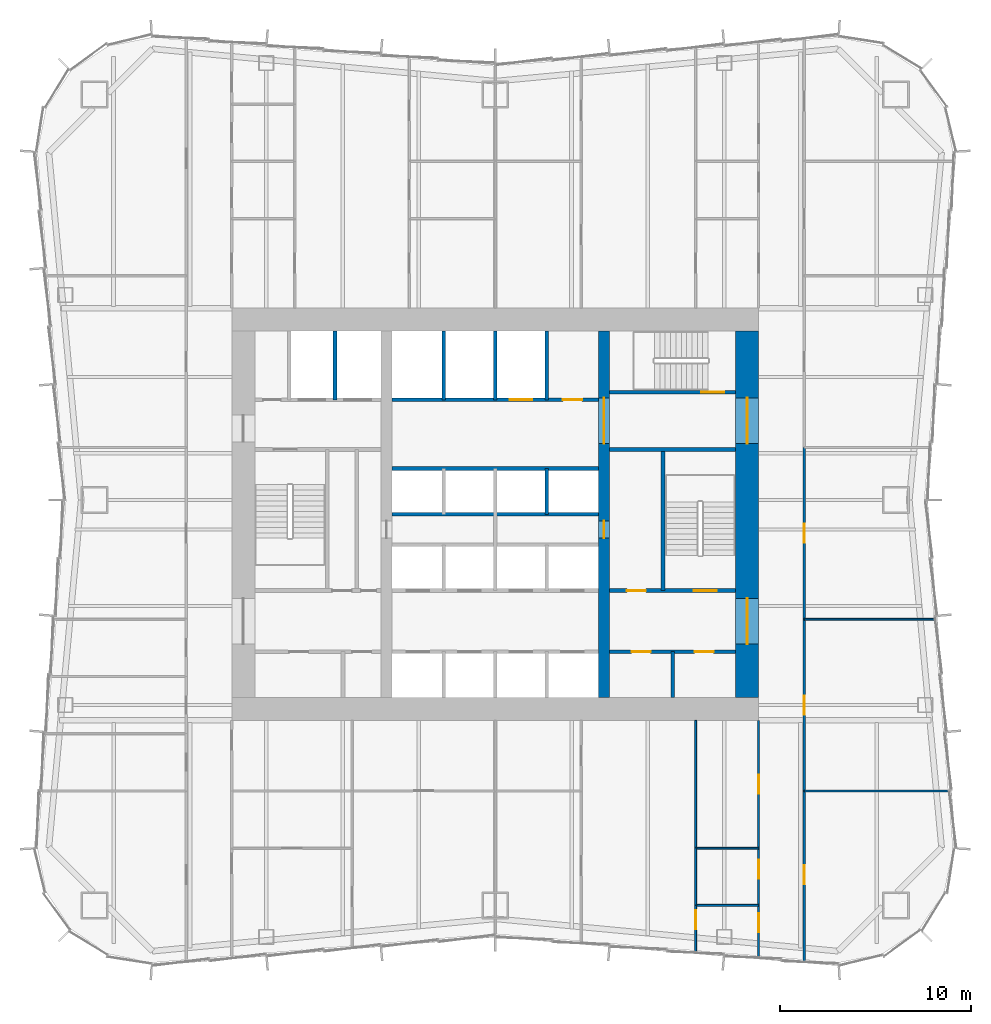
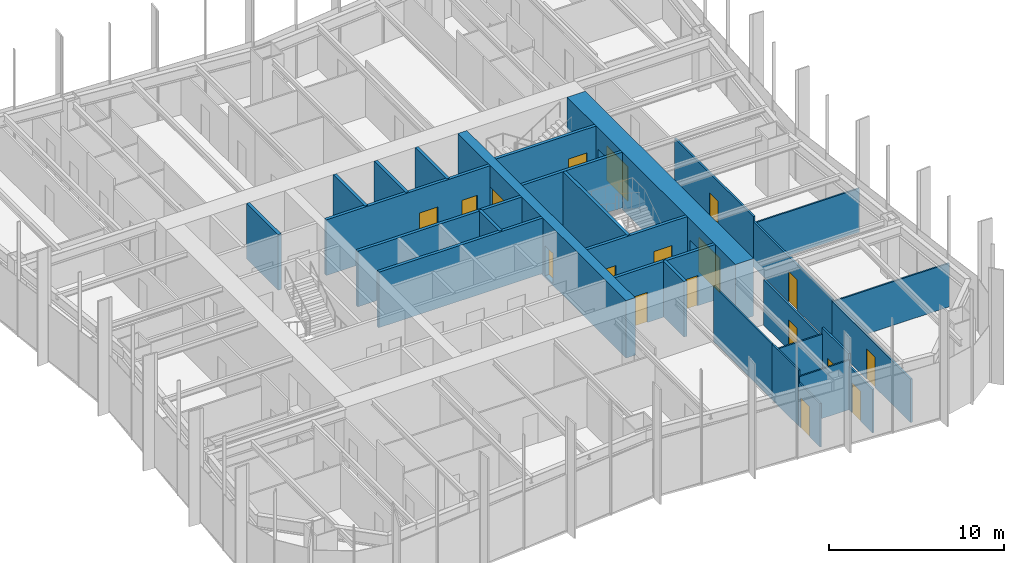
# One storey, part 10 of 13: 29 walls, 18 doors, 18 openings.
"""IFC4 building model written with IfcOpenShell, lengths in metres."""

from ifc_helpers import new_model, si_unit, direction, frame, frame_2d, origin, place, context, subcontext, project, spatial, rectangle, extrude, material, layer, layer_set, type_object, element, fill, save


model = new_model("IFC4")

# Units and contexts
model_context = context("Model", 3, precision=1e-05, world=origin(), true_north=direction((0.0, 1.0)))
body_context = subcontext(model_context, "Body", "Model", "MODEL_VIEW")
ifc_project = project(units=[si_unit("LENGTHUNIT", "METRE"), si_unit("AREAUNIT", "SQUARE_METRE"), si_unit("VOLUMEUNIT", "CUBIC_METRE"), si_unit("PLANEANGLEUNIT", "RADIAN"), si_unit("MASSUNIT", "GRAM", prefix="KILO")], contexts=[model_context])

# Site, building, storey
site_placement = place(None, origin())
site = spatial("IfcSite", under=ifc_project, at=site_placement, CompositionType="ELEMENT")
building_placement = place(site_placement, origin())
building = spatial("IfcBuilding", under=site, at=building_placement, Name="Verdant Reach Tower", CompositionType="ELEMENT")
storey_placement = place(building_placement, frame((0.0, 0.0, 106.0)))
storey = spatial("IfcBuildingStorey", under=building, at=storey_placement, Name="L24", CompositionType="ELEMENT", Elevation=106.0)

# Wall, openings, doors
ifc_material_1 = material(Name="Gypsum board on steel studs", Category="steel")
ifc_layer_1 = layer(ifc_material_1, 0.199951171875)
ifc_layer_set_1 = layer_set([ifc_layer_1], Name="CO-WALL-ROOM")
wall_type_1 = type_object("IfcWallType", Name="CO-WALL-ROOM", PredefinedType="PARTITIONING", material=ifc_layer_set_1)
wall_1_placement = place(storey_placement, frame((6.0, 20.800048828125, 0.0), z_axis=(0.0, 0.0, 1.0), x_axis=(1.0, 0.0, 0.0)))
wall_1 = element("IfcWall", 1, at=wall_1_placement, inside=storey, type_object=wall_type_1, Name="Core partition, L24", PredefinedType="PARTITIONING", context=body_context, shape_type="SweptSolid", body=[
    extrude(rectangle(XDim=6.60009765625, YDim=0.199951171875, at=frame_2d((3.300048828125, 0.0))), origin(), (0.0, 0.0, 1.0), 3.8701171875),
])
opening_1_placement = place(wall_1_placement, frame((1.14990234375, 0.0, 0.0)))
opening_1 = element("IfcOpeningElement", 2, at=opening_1_placement, cuts=wall_1, Name="Opening CD", PredefinedType="OPENING", context=body_context, shape_type="SweptSolid", body=[
    extrude(rectangle(XDim=1.0, YDim=2.10009765625, at=frame_2d((0.5, 1.050048828125))), frame((0.0, 0.10986328125, 0.0), z_axis=(0.0, -1.0, 0.0), x_axis=(1.0, 0.0, 0.0)), (0.0, 0.0, 1.0), 0.219970703125),
])
opening_2_placement = place(wall_1_placement, frame((4.449951171875, 0.0, 0.0)))
opening_2 = element("IfcOpeningElement", 3, at=opening_2_placement, cuts=wall_1, Name="Opening CD", PredefinedType="OPENING", context=body_context, shape_type="SweptSolid", body=[
    extrude(rectangle(XDim=1.0, YDim=2.10009765625, at=frame_2d((0.5, 1.050048828125))), frame((0.0, 0.10986328125, 0.0), z_axis=(0.0, -1.0, 0.0), x_axis=(1.0, 0.0, 0.0)), (0.0, 0.0, 1.0), 0.219970703125),
])
ifc_material_2 = material(Name="Timber", Category="wood")
door_type_1 = type_object("IfcDoorType", Name="CO-DOOR-ROOM", OperationType="NOTDEFINED", PredefinedType="DOOR", material=ifc_material_2)
door_1_placement = place(opening_1_placement, origin())
door_1 = element("IfcDoor", 4, at=door_1_placement, inside=storey, type_object=door_type_1, Name="Core room door, L24", OperationType="SINGLE_SWING_LEFT", OverallHeight=2.10009765625, OverallWidth=1.0, PredefinedType="DOOR", context=body_context, shape_type="SweptSolid", body=[
    extrude(rectangle(XDim=1.0, YDim=2.10009765625, at=frame_2d((0.5, 1.050048828125))), frame((0.0, 0.02490234375, 0.0), z_axis=(0.0, -1.0, 0.0), x_axis=(1.0, 0.0, 0.0)), (0.0, 0.0, 1.0), 0.050048828125),
])
fill(opening_1, door_1)
door_2_placement = place(opening_2_placement, origin())
door_2 = element("IfcDoor", 5, at=door_2_placement, inside=storey, type_object=door_type_1, Name="Core room door, L24", OperationType="SINGLE_SWING_LEFT", OverallHeight=2.10009765625, OverallWidth=1.0, PredefinedType="DOOR", context=body_context, shape_type="SweptSolid", body=[
    extrude(rectangle(XDim=1.0, YDim=2.10009765625, at=frame_2d((0.5, 1.050048828125))), frame((0.0, 0.02490234375, 0.0), z_axis=(0.0, -1.0, 0.0), x_axis=(1.0, 0.0, 0.0)), (0.0, 0.0, 1.0), 0.050048828125),
])
fill(opening_2, door_2)

# Walls
wall_2_placement = place(storey_placement, frame((9.300048828125, 18.39990234375, 0.0), z_axis=(0.0, 0.0, 1.0), x_axis=(0.0, 1.0, 0.0)))
element("IfcWall", 6, at=wall_2_placement, inside=storey, type_object=wall_type_1, Name="Core partition, L24", PredefinedType="PARTITIONING", context=body_context, shape_type="SweptSolid", body=[
    extrude(rectangle(XDim=2.400146484375, YDim=0.199951171875, at=frame_2d((1.2001953125, 0.0))), origin(), (0.0, 0.0, 1.0), 3.8701171875),
])
ifc_material_3 = material(Name="Concrete C40/50", Category="concrete")
ifc_layer_2 = layer(ifc_material_3, 0.199951171875)
ifc_layer_set_2 = layer_set([ifc_layer_2], Name="CO-WALL-SHAFT")
wall_type_2 = type_object("IfcWallType", Name="CO-WALL-SHAFT", PredefinedType="PARTITIONING", material=ifc_layer_set_2)
for number, where, z_axis, x_axis, name in (
    (7, (-5.39990234375, 28.0, 0.0), (0.0, 0.0, 1.0), (1.0, 0.0, 0.0), "Lift shaft wall, L24"),
    (8, (-5.39990234375, 30.39990234375, 0.0), (0.0, 0.0, 1.0), (1.0, 0.0, 0.0), "Lift shaft wall, L24"),
):
    element("IfcWall", number, at=place(storey_placement, frame(where, z_axis=z_axis, x_axis=x_axis)), inside=storey, type_object=wall_type_2, Name=name, PredefinedType="PARTITIONING", context=body_context, shape_type="SweptSolid", body=[
        extrude(rectangle(XDim=10.7998046875, YDim=0.199951171875, at=frame_2d((5.39990234375, 0.0))), origin(), (0.0, 0.0, 1.0), 3.8701171875),
    ])

# Wall, openings, doors
wall_3_placement = place(storey_placement, frame((-5.39990234375, 34.0, 0.0), z_axis=(0.0, 0.0, 1.0), x_axis=(1.0, 0.0, 0.0)))
wall_3 = element("IfcWall", 9, at=wall_3_placement, inside=storey, type_object=wall_type_2, Name="Lift shaft wall, L24", PredefinedType="PARTITIONING", context=body_context, shape_type="SweptSolid", body=[
    extrude(rectangle(XDim=10.7998046875, YDim=0.199951171875, at=frame_2d((5.39990234375, 0.0))), origin(), (0.0, 0.0, 1.0), 3.8701171875),
])
opening_3_placement = place(wall_3_placement, frame((6.14990234375, 0.0, 0.0)))
opening_3 = element("IfcOpeningElement", 10, at=opening_3_placement, cuts=wall_3, Name="Opening LD-SL1", PredefinedType="OPENING", context=body_context, shape_type="SweptSolid", body=[
    extrude(rectangle(XDim=1.199951171875, YDim=2.199951171875, at=frame_2d((0.60009765625, 1.10009765625))), frame((0.0, 0.10986328125, 0.0), z_axis=(0.0, -1.0, 0.0), x_axis=(1.0, 0.0, 0.0)), (0.0, 0.0, 1.0), 0.219970703125),
])
opening_4_placement = place(wall_3_placement, frame((8.949951171875, 0.0, 0.0)))
opening_4 = element("IfcOpeningElement", 11, at=opening_4_placement, cuts=wall_3, Name="Opening CD", PredefinedType="OPENING", context=body_context, shape_type="SweptSolid", body=[
    extrude(rectangle(XDim=1.0, YDim=2.10009765625, at=frame_2d((0.5, 1.050048828125))), frame((0.0, 0.10986328125, 0.0), z_axis=(0.0, -1.0, 0.0), x_axis=(1.0, 0.0, 0.0)), (0.0, 0.0, 1.0), 0.219970703125),
])
ifc_material_4 = material(Name="Stainless steel", Category="steel")
door_type_2 = type_object("IfcDoorType", Name="CO-DOOR-LANDING", OperationType="SLIDING_TO_LEFT", PredefinedType="DOOR", material=ifc_material_4)
door_3_placement = place(opening_3_placement, origin())
door_3 = element("IfcDoor", 12, at=door_3_placement, inside=storey, type_object=door_type_2, Name="Landing door SL1, L24", OperationType="SLIDING_TO_LEFT", OverallHeight=2.199951171875, OverallWidth=1.199951171875, PredefinedType="DOOR", context=body_context, shape_type="SweptSolid", body=[
    extrude(rectangle(XDim=1.199951171875, YDim=2.199951171875, at=frame_2d((0.60009765625, 1.10009765625))), frame((0.0, 0.02490234375, 0.0), z_axis=(0.0, -1.0, 0.0), x_axis=(1.0, 0.0, 0.0)), (0.0, 0.0, 1.0), 0.050048828125),
])
fill(opening_3, door_3)
door_4_placement = place(opening_4_placement, origin())
door_4 = element("IfcDoor", 13, at=door_4_placement, inside=storey, type_object=door_type_1, Name="Core room door, L24", OperationType="SINGLE_SWING_LEFT", OverallHeight=2.10009765625, OverallWidth=1.0, PredefinedType="DOOR", context=body_context, shape_type="SweptSolid", body=[
    extrude(rectangle(XDim=1.0, YDim=2.10009765625, at=frame_2d((0.5, 1.050048828125))), frame((0.0, 0.02490234375, 0.0), z_axis=(0.0, -1.0, 0.0), x_axis=(1.0, 0.0, 0.0)), (0.0, 0.0, 1.0), 0.050048828125),
])
fill(opening_4, door_4)

# Walls
for number, where, z_axis, x_axis, name in (
    (14, (-8.39990234375, 34.0, 0.0), (0.0, 0.0, 1.0), (0.0, 1.0, 0.0), "Lift shaft wall, L24"),
    (15, (-2.699951171875, 34.0, 0.0), (0.0, 0.0, 1.0), (0.0, 1.0, 0.0), "Lift shaft wall, L24"),
    (16, (0.0, 34.0, 0.0), (0.0, 0.0, 1.0), (0.0, 1.0, 0.0), "Lift shaft wall, L24"),
):
    element("IfcWall", number, at=place(storey_placement, frame(where, z_axis=z_axis, x_axis=x_axis)), inside=storey, type_object=wall_type_2, Name=name, PredefinedType="PARTITIONING", context=body_context, shape_type="SweptSolid", body=[
        extrude(rectangle(XDim=3.60009765625, YDim=0.199951171875, at=frame_2d((1.800048828125, 0.0))), origin(), (0.0, 0.0, 1.0), 3.8701171875),
    ])
wall_4_placement = place(storey_placement, frame((2.699951171875, 28.0, 0.0), z_axis=(0.0, 0.0, 1.0), x_axis=(0.0, 1.0, 0.0)))
element("IfcWall", 17, at=wall_4_placement, inside=storey, type_object=wall_type_2, Name="Lift shaft wall, L24", PredefinedType="PARTITIONING", context=body_context, shape_type="SweptSolid", body=[
    extrude(rectangle(XDim=2.39990234375, YDim=0.199951171875, at=frame_2d((1.199951171875, 0.0))), origin(), (0.0, 0.0, 1.0), 3.8701171875),
])
wall_5_placement = place(storey_placement, frame((2.699951171875, 34.0, 0.0), z_axis=(0.0, 0.0, 1.0), x_axis=(0.0, 1.0, 0.0)))
element("IfcWall", 18, at=wall_5_placement, inside=storey, type_object=wall_type_2, Name="Lift shaft wall, L24", PredefinedType="PARTITIONING", context=body_context, shape_type="SweptSolid", body=[
    extrude(rectangle(XDim=3.60009765625, YDim=0.199951171875, at=frame_2d((1.800048828125, 0.0))), origin(), (0.0, 0.0, 1.0), 3.8701171875),
])

# Wall, openings, doors
ifc_layer_3 = layer(ifc_material_3, 0.199951171875)
ifc_layer_set_3 = layer_set([ifc_layer_3], Name="CO-WALL-STAIR")
wall_type_3 = type_object("IfcWallType", Name="CO-WALL-STAIR", PredefinedType="PARTITIONING", material=ifc_layer_set_3)
wall_6_placement = place(storey_placement, frame((6.0, 24.0, 0.0), z_axis=(0.0, 0.0, 1.0), x_axis=(1.0, 0.0, 0.0)))
wall_6 = element("IfcWall", 19, at=wall_6_placement, inside=storey, type_object=wall_type_3, Name="Stair enclosure wall, L24", PredefinedType="PARTITIONING", context=body_context, shape_type="SweptSolid", body=[
    extrude(rectangle(XDim=6.60009765625, YDim=0.199951171875, at=frame_2d((3.300048828125, 0.0))), origin(), (0.0, 0.0, 1.0), 3.8701171875),
])
opening_5_placement = place(wall_6_placement, frame((0.89990234375, 0.0, 0.0)))
opening_5 = element("IfcOpeningElement", 20, at=opening_5_placement, cuts=wall_6, Name="Opening CD", PredefinedType="OPENING", context=body_context, shape_type="SweptSolid", body=[
    extrude(rectangle(XDim=1.0, YDim=2.10009765625, at=frame_2d((0.5, 1.050048828125))), frame((0.0, 0.10986328125, 0.0), z_axis=(0.0, -1.0, 0.0), x_axis=(1.0, 0.0, 0.0)), (0.0, 0.0, 1.0), 0.219970703125),
])
opening_6_placement = place(wall_6_placement, frame((4.39990234375, 0.0, 0.0)))
opening_6 = element("IfcOpeningElement", 21, at=opening_6_placement, cuts=wall_6, Name="Opening SD", PredefinedType="OPENING", context=body_context, shape_type="SweptSolid", body=[
    extrude(rectangle(XDim=1.199951171875, YDim=2.199951171875, at=frame_2d((0.60009765625, 1.10009765625))), frame((0.0, 0.10986328125, 0.0), z_axis=(0.0, -1.0, 0.0), x_axis=(1.0, 0.0, 0.0)), (0.0, 0.0, 1.0), 0.219970703125),
])
door_5_placement = place(opening_5_placement, origin())
door_5 = element("IfcDoor", 22, at=door_5_placement, inside=storey, type_object=door_type_1, Name="Core room door, L24", OperationType="SINGLE_SWING_RIGHT", OverallHeight=2.10009765625, OverallWidth=1.0, PredefinedType="DOOR", context=body_context, shape_type="SweptSolid", body=[
    extrude(rectangle(XDim=1.0, YDim=2.10009765625, at=frame_2d((0.5, 1.050048828125))), frame((0.0, 0.02490234375, 0.0), z_axis=(0.0, -1.0, 0.0), x_axis=(1.0, 0.0, 0.0)), (0.0, 0.0, 1.0), 0.050048828125),
])
fill(opening_5, door_5)
ifc_material_5 = material(Name="Steel", Category="steel")
door_type_3 = type_object("IfcDoorType", Name="CO-DOOR-STAIR", OperationType="NOTDEFINED", PredefinedType="DOOR", material=ifc_material_5)
door_6_placement = place(opening_6_placement, origin())
door_6 = element("IfcDoor", 23, at=door_6_placement, inside=storey, type_object=door_type_3, Name="Stair door, L24", OperationType="SINGLE_SWING_LEFT", OverallHeight=2.199951171875, OverallWidth=1.199951171875, PredefinedType="DOOR", context=body_context, shape_type="SweptSolid", body=[
    extrude(rectangle(XDim=1.199951171875, YDim=2.199951171875, at=frame_2d((0.60009765625, 1.10009765625))), frame((0.0, 0.02490234375, 0.0), z_axis=(0.0, -1.0, 0.0), x_axis=(1.0, 0.0, 0.0)), (0.0, 0.0, 1.0), 0.050048828125),
])
fill(opening_6, door_6)

# Wall
wall_7_placement = place(storey_placement, frame((6.0, 31.39990234375, 0.0), z_axis=(0.0, 0.0, 1.0), x_axis=(1.0, 0.0, 0.0)))
element("IfcWall", 24, at=wall_7_placement, inside=storey, type_object=wall_type_3, Name="Stair enclosure wall, L24", PredefinedType="PARTITIONING", context=body_context, shape_type="SweptSolid", body=[
    extrude(rectangle(XDim=6.60009765625, YDim=0.199951171875, at=frame_2d((3.300048828125, 0.0))), origin(), (0.0, 0.0, 1.0), 3.8701171875),
])

# Wall, opening, door
wall_8_placement = place(storey_placement, frame((6.0, 34.39990234375, 0.0), z_axis=(0.0, 0.0, 1.0), x_axis=(1.0, 0.0, 0.0)))
wall_8 = element("IfcWall", 25, at=wall_8_placement, inside=storey, type_object=wall_type_3, Name="Stair enclosure wall, L24", PredefinedType="PARTITIONING", context=body_context, shape_type="SweptSolid", body=[
    extrude(rectangle(XDim=6.60009765625, YDim=0.199951171875, at=frame_2d((3.300048828125, 0.0))), origin(), (0.0, 0.0, 1.0), 3.8701171875),
])
opening_7_placement = place(wall_8_placement, frame((4.800048828125, 0.0, 0.0)))
opening_7 = element("IfcOpeningElement", 26, at=opening_7_placement, cuts=wall_8, Name="Opening SD", PredefinedType="OPENING", context=body_context, shape_type="SweptSolid", body=[
    extrude(rectangle(XDim=1.199951171875, YDim=2.199951171875, at=frame_2d((0.60009765625, 1.10009765625))), frame((0.0, 0.10986328125, 0.0), z_axis=(0.0, -1.0, 0.0), x_axis=(1.0, 0.0, 0.0)), (0.0, 0.0, 1.0), 0.219970703125),
])
door_7_placement = place(opening_7_placement, origin())
door_7 = element("IfcDoor", 27, at=door_7_placement, inside=storey, type_object=door_type_3, Name="Stair door, L24", OperationType="SINGLE_SWING_RIGHT", OverallHeight=2.199951171875, OverallWidth=1.199951171875, PredefinedType="DOOR", context=body_context, shape_type="SweptSolid", body=[
    extrude(rectangle(XDim=1.199951171875, YDim=2.199951171875, at=frame_2d((0.60009765625, 1.10009765625))), frame((0.0, 0.02490234375, 0.0), z_axis=(0.0, -1.0, 0.0), x_axis=(1.0, 0.0, 0.0)), (0.0, 0.0, 1.0), 0.050048828125),
])
fill(opening_7, door_7)

# Walls
wall_9_placement = place(storey_placement, frame((8.800048828125, 24.0, 0.0), z_axis=(0.0, 0.0, 1.0), x_axis=(0.0, 1.0, 0.0)))
element("IfcWall", 28, at=wall_9_placement, inside=storey, type_object=wall_type_3, Name="Stair enclosure wall, L24", PredefinedType="PARTITIONING", context=body_context, shape_type="SweptSolid", body=[
    extrude(rectangle(XDim=7.39990234375, YDim=0.199951171875, at=frame_2d((3.699951171875, 0.0))), origin(), (0.0, 0.0, 1.0), 3.8701171875),
])
ifc_layer_4 = layer(ifc_material_1, 0.10009765625)
ifc_layer_set_4 = layer_set([ifc_layer_4], Name="FL-W1 Partition 100")
wall_type_4 = type_object("IfcWallType", Name="FL-W1 Partition 100", PredefinedType="PARTITIONING", material=ifc_layer_set_4)
wall_10_placement = place(storey_placement, frame((23.83349609375, 13.5, 0.0), z_axis=(0.0, 0.0, 1.0), x_axis=(-1.0, 0.0, 0.0)))
element("IfcWall", 29, at=wall_10_placement, inside=storey, type_object=wall_type_4, Name="Partition 24.33", PredefinedType="PARTITIONING", context=body_context, shape_type="SweptSolid", body=[
    extrude(rectangle(XDim=7.633544921875, YDim=0.10009765625, at=frame_2d((3.81689453125, 0.0))), origin(), (0.0, 0.0, 1.0), 3.0400390625),
])
wall_11_placement = place(storey_placement, frame((23.09375, 22.5, 0.0), z_axis=(0.0, 0.0, 1.0), x_axis=(-1.0, 0.0, 0.0)))
element("IfcWall", 30, at=wall_11_placement, inside=storey, type_object=wall_type_4, Name="Partition 24.34", PredefinedType="PARTITIONING", context=body_context, shape_type="SweptSolid", body=[
    extrude(rectangle(XDim=6.893798828125, YDim=0.10009765625, at=frame_2d((3.44677734375, 0.0))), origin(), (0.0, 0.0, 1.0), 3.0400390625),
])
wall_12_placement = place(storey_placement, frame((13.800048828125, 7.5, 0.0), z_axis=(0.0, 0.0, 1.0), x_axis=(-1.0, 0.0, 0.0)))
element("IfcWall", 31, at=wall_12_placement, inside=storey, type_object=wall_type_4, Name="Partition 24.46", PredefinedType="PARTITIONING", context=body_context, shape_type="SweptSolid", body=[
    extrude(rectangle(XDim=3.300048828125, YDim=0.10009765625, at=frame_2d((1.64990234375, 0.0))), origin(), (0.0, 0.0, 1.0), 3.43994140625),
])

# Wall, opening, door
wall_13_placement = place(storey_placement, frame((10.5, 5.044921875, 0.0), z_axis=(0.0, 0.0, 1.0), x_axis=(0.0, 1.0, 0.0)))
wall_13 = element("IfcWall", 32, at=wall_13_placement, inside=storey, type_object=wall_type_4, Name="Partition 24.47", PredefinedType="PARTITIONING", context=body_context, shape_type="SweptSolid", body=[
    extrude(rectangle(XDim=2.458984375, YDim=0.10009765625, at=frame_2d((1.2294921875, 0.0))), origin(), (0.0, 0.0, 1.0), 3.0400390625),
])
opening_8_placement = place(wall_13_placement, frame((1.194580078125, 0.0, 0.0)))
opening_8 = element("IfcOpeningElement", 33, at=opening_8_placement, cuts=wall_13, Name="Opening D3", PredefinedType="OPENING", context=body_context, shape_type="SweptSolid", body=[
    extrude(rectangle(XDim=1.0, YDim=2.10009765625, at=frame_2d((0.5, 1.050048828125))), frame((0.0, 0.06005859375, 0.0), z_axis=(0.0, -1.0, 0.0), x_axis=(1.0, 0.0, 0.0)), (0.0, 0.0, 1.0), 0.1201171875),
])
ifc_material_6 = material(Name="Painted timber door leaf", Category="wood")
door_type_4 = type_object("IfcDoorType", Name="FL-D3 Door 1000x2100", OperationType="NOTDEFINED", PredefinedType="DOOR", material=ifc_material_6)
door_8_placement = place(opening_8_placement, origin())
door_8 = element("IfcDoor", 34, at=door_8_placement, inside=storey, type_object=door_type_4, Name="Door 24-029", OperationType="SINGLE_SWING_RIGHT", OverallHeight=2.10009765625, OverallWidth=1.0, PredefinedType="DOOR", context=body_context, shape_type="SweptSolid", body=[
    extrude(rectangle(XDim=1.0, YDim=2.10009765625, at=frame_2d((0.5, 1.050048828125))), frame((0.0, 0.02490234375, 0.0), z_axis=(0.0, -1.0, 0.0), x_axis=(1.0, 0.0, 0.0)), (0.0, 0.0, 1.0), 0.050048828125),
])
fill(opening_8, door_8)

# Walls
wall_14_placement = place(storey_placement, frame((13.800048828125, 10.5, 0.0), z_axis=(0.0, 0.0, 1.0), x_axis=(-1.0, 0.0, 0.0)))
element("IfcWall", 35, at=wall_14_placement, inside=storey, type_object=wall_type_4, Name="Partition 24.48", PredefinedType="PARTITIONING", context=body_context, shape_type="SweptSolid", body=[
    extrude(rectangle(XDim=3.300048828125, YDim=0.10009765625, at=frame_2d((1.64990234375, 0.0))), origin(), (0.0, 0.0, 1.0), 3.43994140625),
])
wall_15_placement = place(storey_placement, frame((10.5, 10.50390625, 0.0), z_axis=(0.0, 0.0, 1.0), x_axis=(0.0, -1.0, 0.0)))
element("IfcWall", 36, at=wall_15_placement, inside=storey, type_object=wall_type_4, Name="Partition 24.49", PredefinedType="PARTITIONING", context=body_context, shape_type="SweptSolid", body=[
    extrude(rectangle(XDim=3.0078125, YDim=0.10009765625, at=frame_2d((1.50390625, 0.0))), origin(), (0.0, 0.0, 1.0), 3.8701171875),
])
wall_16_placement = place(storey_placement, frame((10.5, 17.199951171875, 0.0), z_axis=(0.0, 0.0, 1.0), x_axis=(0.0, -1.0, 0.0)))
element("IfcWall", 37, at=wall_16_placement, inside=storey, type_object=wall_type_4, Name="Partition 24.50", PredefinedType="PARTITIONING", context=body_context, shape_type="SweptSolid", body=[
    extrude(rectangle(XDim=6.703857421875, YDim=0.10009765625, at=frame_2d((3.35205078125, 0.0))), origin(), (0.0, 0.0, 1.0), 3.8701171875),
])

# Wall, opening, door
ifc_material_7 = material(Name="Gypsum board on steel studs, fire rated", Category="steel")
ifc_layer_5 = layer(ifc_material_7, 0.125)
ifc_layer_set_5 = layer_set([ifc_layer_5], Name="FL-W2 Corridor wall 125")
wall_type_5 = type_object("IfcWallType", Name="FL-W2 Corridor wall 125", PredefinedType="PARTITIONING", material=ifc_layer_set_5)
wall_17_placement = place(storey_placement, frame((16.199951171875, 13.5, 0.0), z_axis=(0.0, 0.0, 1.0), x_axis=(0.0, -1.0, 0.0)))
wall_17 = element("IfcWall", 38, at=wall_17_placement, inside=storey, type_object=wall_type_5, Name="Partition 24.15", PredefinedType="PARTITIONING", context=body_context, shape_type="SweptSolid", body=[
    extrude(rectangle(XDim=8.929931640625, YDim=0.125, at=frame_2d((4.46484375, 0.0))), origin(), (0.0, 0.0, 1.0), 3.0400390625),
])
opening_9_placement = place(wall_17_placement, frame((3.89990234375, 0.0, 0.0)))
opening_9 = element("IfcOpeningElement", 39, at=opening_9_placement, cuts=wall_17, Name="Opening D2", PredefinedType="OPENING", context=body_context, shape_type="SweptSolid", body=[
    extrude(rectangle(XDim=1.0, YDim=2.10009765625, at=frame_2d((0.5, 1.050048828125))), frame((0.0, 0.072509765625, 0.0), z_axis=(0.0, -1.0, 0.0), x_axis=(1.0, 0.0, 0.0)), (0.0, 0.0, 1.0), 0.14501953125),
])
ifc_material_8 = material(Name="Timber door leaf, fire rated", Category="wood")
door_type_5 = type_object("IfcDoorType", Name="FL-D2 Entrance door 1000x2100 FD30", OperationType="NOTDEFINED", PredefinedType="DOOR", material=ifc_material_8)
door_9_placement = place(opening_9_placement, origin())
door_9 = element("IfcDoor", 40, at=door_9_placement, inside=storey, type_object=door_type_5, Name="Door 24-014", OperationType="SINGLE_SWING_LEFT", OverallHeight=2.10009765625, OverallWidth=1.0, PredefinedType="DOOR", context=body_context, shape_type="SweptSolid", body=[
    extrude(rectangle(XDim=1.0, YDim=2.10009765625, at=frame_2d((0.5, 1.050048828125))), frame((0.0, 0.02490234375, 0.0), z_axis=(0.0, -1.0, 0.0), x_axis=(1.0, 0.0, 0.0)), (0.0, 0.0, 1.0), 0.050048828125),
])
fill(opening_9, door_9)

wall_18_placement = place(storey_placement, frame((16.199951171875, 22.5, 0.0), z_axis=(0.0, 0.0, 1.0), x_axis=(0.0, -1.0, 0.0)))
wall_18 = element("IfcWall", 41, at=wall_18_placement, inside=storey, type_object=wall_type_5, Name="Partition 24.16", PredefinedType="PARTITIONING", context=body_context, shape_type="SweptSolid", body=[
    extrude(rectangle(XDim=9.0, YDim=0.125, at=frame_2d((4.5, 0.0))), origin(), (0.0, 0.0, 1.0), 3.139892578125),
])
opening_10_placement = place(wall_18_placement, frame((4.0, 0.0, 0.0)))
opening_10 = element("IfcOpeningElement", 42, at=opening_10_placement, cuts=wall_18, Name="Opening D2", PredefinedType="OPENING", context=body_context, shape_type="SweptSolid", body=[
    extrude(rectangle(XDim=1.0, YDim=2.10009765625, at=frame_2d((0.5, 1.050048828125))), frame((0.0, 0.072509765625, 0.0), z_axis=(0.0, -1.0, 0.0), x_axis=(1.0, 0.0, 0.0)), (0.0, 0.0, 1.0), 0.14501953125),
])
door_10_placement = place(opening_10_placement, origin())
door_10 = element("IfcDoor", 43, at=door_10_placement, inside=storey, type_object=door_type_5, Name="Door 24-015", OperationType="SINGLE_SWING_LEFT", OverallHeight=2.10009765625, OverallWidth=1.0, PredefinedType="DOOR", context=body_context, shape_type="SweptSolid", body=[
    extrude(rectangle(XDim=1.0, YDim=2.10009765625, at=frame_2d((0.5, 1.050048828125))), frame((0.0, 0.02490234375, 0.0), z_axis=(0.0, -1.0, 0.0), x_axis=(1.0, 0.0, 0.0)), (0.0, 0.0, 1.0), 0.050048828125),
])
fill(opening_10, door_10)

wall_19_placement = place(storey_placement, frame((16.199951171875, 31.5, 0.0), z_axis=(0.0, 0.0, 1.0), x_axis=(0.0, -1.0, 0.0)))
wall_19 = element("IfcWall", 44, at=wall_19_placement, inside=storey, type_object=wall_type_5, Name="Partition 24.17", PredefinedType="PARTITIONING", context=body_context, shape_type="SweptSolid", body=[
    extrude(rectangle(XDim=9.0, YDim=0.125, at=frame_2d((4.5, 0.0))), origin(), (0.0, 0.0, 1.0), 3.47998046875),
])
opening_11_placement = place(wall_19_placement, frame((4.0, 0.0, 0.0)))
opening_11 = element("IfcOpeningElement", 45, at=opening_11_placement, cuts=wall_19, Name="Opening D2", PredefinedType="OPENING", context=body_context, shape_type="SweptSolid", body=[
    extrude(rectangle(XDim=1.0, YDim=2.10009765625, at=frame_2d((0.5, 1.050048828125))), frame((0.0, 0.072509765625, 0.0), z_axis=(0.0, -1.0, 0.0), x_axis=(1.0, 0.0, 0.0)), (0.0, 0.0, 1.0), 0.14501953125),
])
door_11_placement = place(opening_11_placement, origin())
door_11 = element("IfcDoor", 46, at=door_11_placement, inside=storey, type_object=door_type_5, Name="Door 24-016", OperationType="SINGLE_SWING_RIGHT", OverallHeight=2.10009765625, OverallWidth=1.0, PredefinedType="DOOR", context=body_context, shape_type="SweptSolid", body=[
    extrude(rectangle(XDim=1.0, YDim=2.10009765625, at=frame_2d((0.5, 1.050048828125))), frame((0.0, 0.02490234375, 0.0), z_axis=(0.0, -1.0, 0.0), x_axis=(1.0, 0.0, 0.0)), (0.0, 0.0, 1.0), 0.050048828125),
])
fill(opening_11, door_11)

wall_20_placement = place(storey_placement, frame((13.800048828125, 4.77001953125, 0.0), z_axis=(0.0, 0.0, 1.0), x_axis=(0.0, 1.0, 0.0)))
wall_20 = element("IfcWall", 47, at=wall_20_placement, inside=storey, type_object=wall_type_5, Name="Partition 24.21", PredefinedType="PARTITIONING", context=body_context, shape_type="SweptSolid", body=[
    extrude(rectangle(XDim=2.72998046875, YDim=0.125, at=frame_2d((1.364990234375, 0.0))), origin(), (0.0, 0.0, 1.0), 3.0400390625),
])
opening_12_placement = place(wall_20_placement, frame((1.330078125, 0.0, 0.0)))
opening_12 = element("IfcOpeningElement", 48, at=opening_12_placement, cuts=wall_20, Name="Opening D2", PredefinedType="OPENING", context=body_context, shape_type="SweptSolid", body=[
    extrude(rectangle(XDim=1.0, YDim=2.10009765625, at=frame_2d((0.5, 1.050048828125))), frame((0.0, 0.072509765625, 0.0), z_axis=(0.0, -1.0, 0.0), x_axis=(1.0, 0.0, 0.0)), (0.0, 0.0, 1.0), 0.14501953125),
])
door_12_placement = place(opening_12_placement, origin())
door_12 = element("IfcDoor", 49, at=door_12_placement, inside=storey, type_object=door_type_5, Name="Door 24-020", OperationType="SINGLE_SWING_RIGHT", OverallHeight=2.10009765625, OverallWidth=1.0, PredefinedType="DOOR", context=body_context, shape_type="SweptSolid", body=[
    extrude(rectangle(XDim=1.0, YDim=2.10009765625, at=frame_2d((0.5, 1.050048828125))), frame((0.0, 0.02490234375, 0.0), z_axis=(0.0, -1.0, 0.0), x_axis=(1.0, 0.0, 0.0)), (0.0, 0.0, 1.0), 0.050048828125),
])
fill(opening_12, door_12)

wall_21_placement = place(storey_placement, frame((13.800048828125, 7.5, 0.0), z_axis=(0.0, 0.0, 1.0), x_axis=(0.0, 1.0, 0.0)))
wall_21 = element("IfcWall", 50, at=wall_21_placement, inside=storey, type_object=wall_type_5, Name="Partition 24.22", PredefinedType="PARTITIONING", context=body_context, shape_type="SweptSolid", body=[
    extrude(rectangle(XDim=3.0, YDim=0.125, at=frame_2d((1.5, 0.0))), origin(), (0.0, 0.0, 1.0), 3.8701171875),
])
opening_13_placement = place(wall_21_placement, frame((1.39990234375, 0.0, 0.0)))
opening_13 = element("IfcOpeningElement", 51, at=opening_13_placement, cuts=wall_21, Name="Opening D2", PredefinedType="OPENING", context=body_context, shape_type="SweptSolid", body=[
    extrude(rectangle(XDim=1.0, YDim=2.10009765625, at=frame_2d((0.5, 1.050048828125))), frame((0.0, 0.072509765625, 0.0), z_axis=(0.0, -1.0, 0.0), x_axis=(1.0, 0.0, 0.0)), (0.0, 0.0, 1.0), 0.14501953125),
])
door_13_placement = place(opening_13_placement, origin())
door_13 = element("IfcDoor", 52, at=door_13_placement, inside=storey, type_object=door_type_5, Name="Door 24-021", OperationType="SINGLE_SWING_RIGHT", OverallHeight=2.10009765625, OverallWidth=1.0, PredefinedType="DOOR", context=body_context, shape_type="SweptSolid", body=[
    extrude(rectangle(XDim=1.0, YDim=2.10009765625, at=frame_2d((0.5, 1.050048828125))), frame((0.0, 0.02490234375, 0.0), z_axis=(0.0, -1.0, 0.0), x_axis=(1.0, 0.0, 0.0)), (0.0, 0.0, 1.0), 0.050048828125),
])
fill(opening_13, door_13)

wall_22_placement = place(storey_placement, frame((13.800048828125, 10.5, 0.0), z_axis=(0.0, 0.0, 1.0), x_axis=(0.0, 1.0, 0.0)))
wall_22 = element("IfcWall", 53, at=wall_22_placement, inside=storey, type_object=wall_type_5, Name="Partition 24.23", PredefinedType="PARTITIONING", context=body_context, shape_type="SweptSolid", body=[
    extrude(rectangle(XDim=6.699951171875, YDim=0.125, at=frame_2d((3.35009765625, 0.0))), origin(), (0.0, 0.0, 1.0), 3.139892578125),
])
opening_14_placement = place(wall_22_placement, frame((2.85009765625, 0.0, 0.0)))
opening_14 = element("IfcOpeningElement", 54, at=opening_14_placement, cuts=wall_22, Name="Opening D2", PredefinedType="OPENING", context=body_context, shape_type="SweptSolid", body=[
    extrude(rectangle(XDim=1.0, YDim=2.10009765625, at=frame_2d((0.5, 1.050048828125))), frame((0.0, 0.072509765625, 0.0), z_axis=(0.0, -1.0, 0.0), x_axis=(1.0, 0.0, 0.0)), (0.0, 0.0, 1.0), 0.14501953125),
])
door_14_placement = place(opening_14_placement, origin())
door_14 = element("IfcDoor", 55, at=door_14_placement, inside=storey, type_object=door_type_5, Name="Door 24-022", OperationType="SINGLE_SWING_RIGHT", OverallHeight=2.10009765625, OverallWidth=1.0, PredefinedType="DOOR", context=body_context, shape_type="SweptSolid", body=[
    extrude(rectangle(XDim=1.0, YDim=2.10009765625, at=frame_2d((0.5, 1.050048828125))), frame((0.0, 0.02490234375, 0.0), z_axis=(0.0, -1.0, 0.0), x_axis=(1.0, 0.0, 0.0)), (0.0, 0.0, 1.0), 0.050048828125),
])
fill(opening_14, door_14)

# Wall, openings, doors
ifc_material_9 = material(Name="Concrete C70/85", Category="concrete")
ifc_layer_6 = layer(ifc_material_9, 1.199951171875)
ifc_layer_set_6 = layer_set([ifc_layer_6], Name="ST-CORE-WALL-1200")
wall_type_6 = type_object("IfcWallType", Name="ST-CORE-WALL-1200", PredefinedType="SHEAR", material=ifc_layer_set_6)
wall_23_placement = place(storey_placement, frame((13.199951171875, 18.39990234375, -0.1298828125), z_axis=(0.0, 0.0, 1.0), x_axis=(0.0, 1.0, 0.0)))
wall_23 = element("IfcWall", 56, at=wall_23_placement, inside=storey, type_object=wall_type_6, Name="Core wall E, L24", PredefinedType="SHEAR", context=body_context, shape_type="SweptSolid", body=[
    extrude(rectangle(XDim=19.2001953125, YDim=1.199951171875, at=frame_2d((9.60009765625, 0.0))), origin(), (0.0, 0.0, 1.0), 4.0),
])
opening_15_placement = place(wall_23_placement, frame((2.800048828125, 0.0, 0.1298828125)))
opening_15 = element("IfcOpeningElement", 57, at=opening_15_placement, cuts=wall_23, Name="Opening LB", PredefinedType="OPENING", context=body_context, shape_type="SweptSolid", body=[
    extrude(rectangle(XDim=2.39990234375, YDim=2.39990234375, at=frame_2d((1.199951171875, 1.199951171875))), frame((0.0, 0.60986328125, 0.0), z_axis=(0.0, -1.0, 0.0), x_axis=(1.0, 0.0, 0.0)), (0.0, 0.0, 1.0), 1.219970703125),
])
opening_16_placement = place(wall_23_placement, frame((13.300048828125, 0.0, 0.1298828125)))
opening_16 = element("IfcOpeningElement", 58, at=opening_16_placement, cuts=wall_23, Name="Opening LB", PredefinedType="OPENING", context=body_context, shape_type="SweptSolid", body=[
    extrude(rectangle(XDim=2.39990234375, YDim=2.39990234375, at=frame_2d((1.199951171875, 1.199951171875))), frame((0.0, 0.60986328125, 0.0), z_axis=(0.0, -1.0, 0.0), x_axis=(1.0, 0.0, 0.0)), (0.0, 0.0, 1.0), 1.219970703125),
])
ifc_material_10 = material(Name="Glass and steel", Category="steel")
door_type_6 = type_object("IfcDoorType", Name="CO-DOOR-LOBBY", OperationType="DOUBLE_DOOR_SINGLE_SWING", PredefinedType="DOOR", material=ifc_material_10)
door_15_placement = place(opening_15_placement, origin())
door_15 = element("IfcDoor", 59, at=door_15_placement, inside=storey, type_object=door_type_6, Name="Core entrance door, L24", OperationType="DOUBLE_DOOR_SINGLE_SWING", OverallHeight=2.39990234375, OverallWidth=2.39990234375, PredefinedType="DOOR", context=body_context, shape_type="SweptSolid", body=[
    extrude(rectangle(XDim=2.39990234375, YDim=2.39990234375, at=frame_2d((1.199951171875, 1.199951171875))), frame((0.0, 0.02490234375, 0.0), z_axis=(0.0, -1.0, 0.0), x_axis=(1.0, 0.0, 0.0)), (0.0, 0.0, 1.0), 0.050048828125),
])
fill(opening_15, door_15)
door_16_placement = place(opening_16_placement, origin())
door_16 = element("IfcDoor", 60, at=door_16_placement, inside=storey, type_object=door_type_6, Name="Core entrance door, L24", OperationType="DOUBLE_DOOR_SINGLE_SWING", OverallHeight=2.39990234375, OverallWidth=2.39990234375, PredefinedType="DOOR", context=body_context, shape_type="SweptSolid", body=[
    extrude(rectangle(XDim=2.39990234375, YDim=2.39990234375, at=frame_2d((1.199951171875, 1.199951171875))), frame((0.0, 0.02490234375, 0.0), z_axis=(0.0, -1.0, 0.0), x_axis=(1.0, 0.0, 0.0)), (0.0, 0.0, 1.0), 0.050048828125),
])
fill(opening_16, door_16)

ifc_layer_7 = layer(ifc_material_9, 0.60009765625)
ifc_layer_set_7 = layer_set([ifc_layer_7], Name="ST-CORE-WALL-600")
wall_type_7 = type_object("IfcWallType", Name="ST-CORE-WALL-600", PredefinedType="SHEAR", material=ifc_layer_set_7)
wall_24_placement = place(storey_placement, frame((5.699951171875, 18.39990234375, -0.1298828125), z_axis=(0.0, 0.0, 1.0), x_axis=(0.0, 1.0, 0.0)))
wall_24 = element("IfcWall", 61, at=wall_24_placement, inside=storey, type_object=wall_type_7, Name="Core wall XE, L24", PredefinedType="SHEAR", context=body_context, shape_type="SweptSolid", body=[
    extrude(rectangle(XDim=19.2001953125, YDim=0.60009765625, at=frame_2d((9.60009765625, 0.0))), origin(), (0.0, 0.0, 1.0), 4.0),
])
opening_17_placement = place(wall_24_placement, frame((8.35009765625, 0.0, 0.1298828125)))
opening_17 = element("IfcOpeningElement", 62, at=opening_17_placement, cuts=wall_24, Name="Opening RD", PredefinedType="OPENING", context=body_context, shape_type="SweptSolid", body=[
    extrude(rectangle(XDim=0.89990234375, YDim=2.10009765625, at=frame_2d((0.449951171875, 1.050048828125))), frame((0.0, 0.31005859375, 0.0), z_axis=(0.0, -1.0, 0.0), x_axis=(1.0, 0.0, 0.0)), (0.0, 0.0, 1.0), 0.6201171875),
])
opening_18_placement = place(wall_24_placement, frame((13.300048828125, 0.0, 0.1298828125)))
opening_18 = element("IfcOpeningElement", 63, at=opening_18_placement, cuts=wall_24, Name="Opening LB", PredefinedType="OPENING", context=body_context, shape_type="SweptSolid", body=[
    extrude(rectangle(XDim=2.39990234375, YDim=2.39990234375, at=frame_2d((1.199951171875, 1.199951171875))), frame((0.0, 0.31005859375, 0.0), z_axis=(0.0, -1.0, 0.0), x_axis=(1.0, 0.0, 0.0)), (0.0, 0.0, 1.0), 0.6201171875),
])
door_17_placement = place(opening_18_placement, origin())
door_17 = element("IfcDoor", 64, at=door_17_placement, inside=storey, type_object=door_type_6, Name="Core entrance door, L24", OperationType="DOUBLE_DOOR_SINGLE_SWING", OverallHeight=2.39990234375, OverallWidth=2.39990234375, PredefinedType="DOOR", context=body_context, shape_type="SweptSolid", body=[
    extrude(rectangle(XDim=2.39990234375, YDim=2.39990234375, at=frame_2d((1.199951171875, 1.199951171875))), frame((0.0, 0.02490234375, 0.0), z_axis=(0.0, -1.0, 0.0), x_axis=(1.0, 0.0, 0.0)), (0.0, 0.0, 1.0), 0.050048828125),
])
fill(opening_18, door_17)
door_type_7 = type_object("IfcDoorType", Name="CO-DOOR-RISER", OperationType="NOTDEFINED", PredefinedType="DOOR", material=ifc_material_5)
door_18_placement = place(opening_17_placement, origin())
door_18 = element("IfcDoor", 65, at=door_18_placement, inside=storey, type_object=door_type_7, Name="Riser door, L24", OperationType="SINGLE_SWING_RIGHT", OverallHeight=2.10009765625, OverallWidth=0.89990234375, PredefinedType="DOOR", context=body_context, shape_type="SweptSolid", body=[
    extrude(rectangle(XDim=0.89990234375, YDim=2.10009765625, at=frame_2d((0.449951171875, 1.050048828125))), frame((0.0, 0.02490234375, 0.0), z_axis=(0.0, -1.0, 0.0), x_axis=(1.0, 0.0, 0.0)), (0.0, 0.0, 1.0), 0.050048828125),
])
fill(opening_17, door_18)

save(model, "model.ifc")
